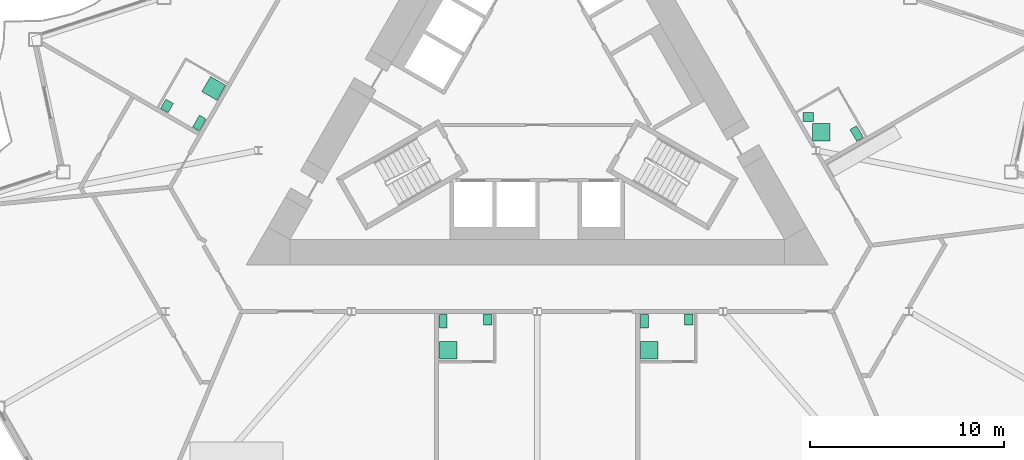
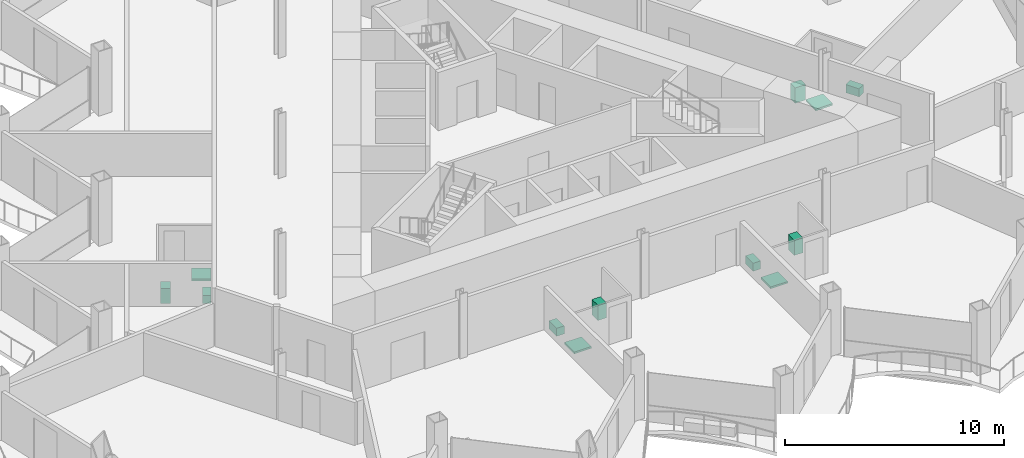
# One storey, part 22 of 23: 12 sanitary terminals.
"""IFC4 building model written with IfcOpenShell, lengths in metres."""

from ifc_helpers import new_model, si_unit, direction, frame, origin, origin_2d, place, context, subcontext, project, spatial, rectangle, extrude, material, type_object, element, save


model = new_model("IFC4")

# Units and contexts
model_context = context("Model", 3, precision=1e-05, world=origin(), true_north=direction((0.0, 1.0)))
body_context = subcontext(model_context, "Body", "Model", "MODEL_VIEW")
ifc_project = project(units=[si_unit("LENGTHUNIT", "METRE"), si_unit("AREAUNIT", "SQUARE_METRE"), si_unit("VOLUMEUNIT", "CUBIC_METRE"), si_unit("PLANEANGLEUNIT", "RADIAN"), si_unit("MASSUNIT", "GRAM", prefix="KILO")], contexts=[model_context])

# Site, building, storey
site_placement = place(None, origin())
site = spatial("IfcSite", under=ifc_project, at=site_placement, CompositionType="ELEMENT")
building_placement = place(site_placement, origin())
building = spatial("IfcBuilding", under=site, at=building_placement, Name="Cormorant Prow Tower", CompositionType="ELEMENT")
storey_placement = place(building_placement, frame((0.0, 0.0, 263.39990234375)))
storey = spatial("IfcBuildingStorey", under=building, at=storey_placement, Name="L59", CompositionType="ELEMENT", Elevation=263.39990234375)

# Sanitary terminals
ifc_material_1 = material(Name="Vitreous china")
sanitary_terminal_type_1 = type_object("IfcSanitaryTerminalType", Name="Shower tray 900x900", PredefinedType="SHOWER", material=ifc_material_1)
for number, where, z_axis, x_axis, name in (
    (1, (-4.587646484375, -13.065185546875, 0.0), (0.0, 0.0, 1.0), (0.0, 1.0, 0.0), "Shower tray"),
    (2, (5.777587890625, -13.065185546875, 0.0), (0.0, 0.0, 1.0), (0.0, 1.0, 0.0), "Shower tray"),
    (3, (14.640869140625, -1.81689453125, 0.0), (0.0, 0.0, 1.0), (1.0, 0.0, 0.0), "Shower tray"),
    (4, (-16.672119140625, 0.433837890625, 0.0), (0.0, 0.0, 1.0), (-0.5, -0.866025403784, 0.0), "Shower tray"),
):
    element("IfcSanitaryTerminal", number, at=place(storey_placement, frame(where, z_axis=z_axis, x_axis=x_axis)), inside=storey, type_object=sanitary_terminal_type_1, Name=name, PredefinedType="SHOWER", context=body_context, shape_type="SweptSolid", body=[
        extrude(rectangle(XDim=0.89990234375, YDim=0.89990234375, at=origin_2d()), origin(), (0.0, 0.0, 1.0), 0.10009765625),
    ])
ifc_material_2 = material(Name="Vitreous china")
sanitary_terminal_type_2 = type_object("IfcSanitaryTerminalType", Name="Wash basin 550x450", PredefinedType="WASHHANDBASIN", material=ifc_material_2)
for number, where, z_axis, x_axis, name in (
    (5, (-2.552734375, -11.480224609375, 0.0), (0.0, 0.0, 1.0), (0.0, -1.0, 0.0), "Wash basin"),
    (6, (7.812744140625, -11.480224609375, 0.0), (0.0, 0.0, 1.0), (0.0, -1.0, 0.0), "Wash basin"),
    (7, (13.9658203125, -1.041748046875, 0.0), (0.0, 0.0, 1.0), (1.0, 0.0, 0.0), "Wash basin"),
    (8, (-19.080322265625, -0.4677734375, 0.0), (0.0, 0.0, 1.0), (0.5, 0.866025403784, 0.0), "Wash basin"),
):
    element("IfcSanitaryTerminal", number, at=place(storey_placement, frame(where, z_axis=z_axis, x_axis=x_axis)), inside=storey, type_object=sanitary_terminal_type_2, Name=name, PredefinedType="WASHHANDBASIN", context=body_context, shape_type="SweptSolid", body=[
        extrude(rectangle(XDim=0.550048828125, YDim=0.449951171875, at=origin_2d()), origin(), (0.0, 0.0, 1.0), 0.85009765625),
    ])
ifc_material_3 = material(Name="Vitreous china")
sanitary_terminal_type_3 = type_object("IfcSanitaryTerminalType", Name="Water closet 400x700", PredefinedType="WCSEAT", material=ifc_material_3)
for number, where, z_axis, x_axis, name in (
    (9, (-4.837646484375, -11.555419921875, 0.0), (0.0, 0.0, 1.0), (1.0, 0.0, 0.0), "Water closet"),
    (10, (5.527587890625, -11.555419921875, 0.0), (0.0, 0.0, 1.0), (1.0, 0.0, 0.0), "Water closet"),
    (11, (16.466552734375, -1.890380859375, 0.0), (0.0, 0.0, 1.0), (-0.866025403784, -0.5, 0.0), "Water closet"),
    (12, (-17.410400390625, -1.34521484375, 0.0), (0.0, 0.0, 1.0), (-0.866025403784, 0.5, 0.0), "Water closet"),
):
    element("IfcSanitaryTerminal", number, at=place(storey_placement, frame(where, z_axis=z_axis, x_axis=x_axis)), inside=storey, type_object=sanitary_terminal_type_3, Name=name, PredefinedType="WCSEAT", context=body_context, shape_type="SweptSolid", body=[
        extrude(rectangle(XDim=0.39990234375, YDim=0.699951171875, at=origin_2d()), origin(), (0.0, 0.0, 1.0), 0.449951171875),
    ])

save(model, "model.ifc")
